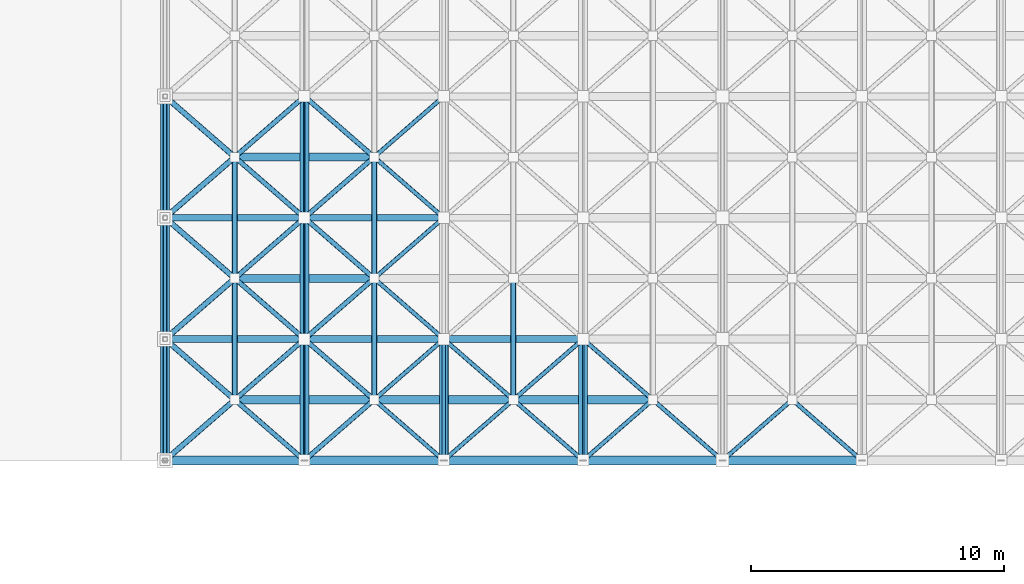
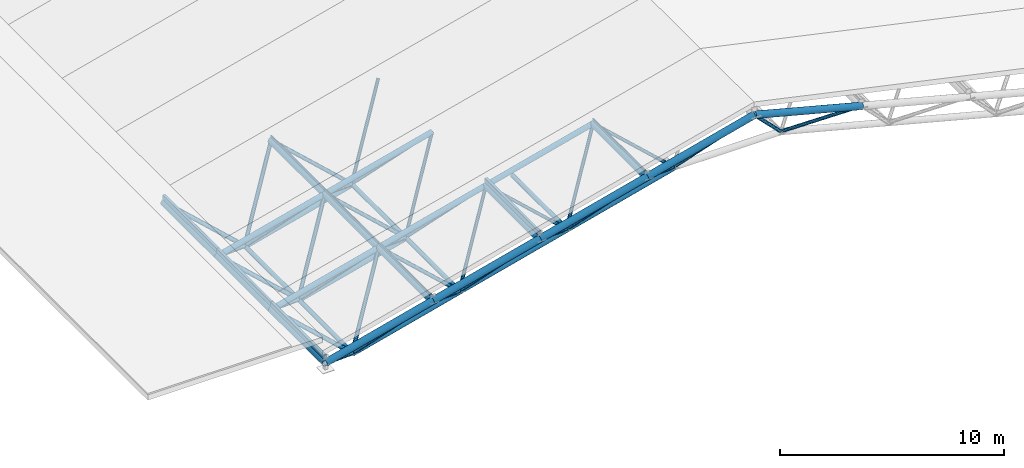
# One storey, part 1 of 60: 69 members.
"""IFC4 building model written with IfcOpenShell, lengths in metres."""

from ifc_helpers import new_model, si_unit, direction, frame, origin, origin_2d, place, context, subcontext, project, spatial, hollow_rectangle, hollow_circle, extrude, material, material_profile, profile_set, type_object, element, save


model = new_model("IFC4")

# Units and contexts
model_context = context("Model", 3, precision=1e-05, world=origin(), true_north=direction((0.0, 1.0)))
body_context = subcontext(model_context, "Body", "Model", "MODEL_VIEW")
ifc_project = project(units=[si_unit("LENGTHUNIT", "METRE"), si_unit("AREAUNIT", "SQUARE_METRE"), si_unit("VOLUMEUNIT", "CUBIC_METRE"), si_unit("PLANEANGLEUNIT", "RADIAN"), si_unit("MASSUNIT", "GRAM", prefix="KILO")], contexts=[model_context])

# Site, building, storey
site_placement = place(None, origin())
site = spatial("IfcSite", under=ifc_project, at=site_placement, CompositionType="ELEMENT")
building_placement = place(site_placement, origin())
building = spatial("IfcBuilding", under=site, at=building_placement, Name="Nakhvara Creek Congress Hotel", CompositionType="ELEMENT")
storey_placement = place(building_placement, frame((0.0, 0.0, 54.60009765625)))
storey = spatial("IfcBuildingStorey", under=building, at=storey_placement, Name="RL1", CompositionType="ELEMENT", Elevation=54.60009765625)

# Members
ifc_material = material(Name="Steel S355J2H", Category="steel")
ifc_material_profile_1 = material_profile(ifc_material, hollow_circle(Radius=0.084228515625, WallThickness=0.010009765625, at=origin_2d()), Name="CHS 168.3x10.0", Category="LoadBearing")
ifc_profile_set_1 = profile_set([ifc_material_profile_1], Name="Steel S355J2H")
member_type_1 = type_object("IfcMemberType", Name="MEM-BRC-CHS168H", PredefinedType="BRACE", material=ifc_profile_set_1)
for number, where, z_axis, x_axis, name in (
    (1, (17.418701171875, 36.0, -35.489990234375), (0.558255523915, -0.486063046951, 0.672378973799), (0.656658200939, 0.754188310132, 0.0), "Congress Space Frame Web Diagonal 0205"),
    (2, (17.418701171875, 36.0, -35.489990234375), (0.558255523915, 0.486063046951, 0.672378973799), (-0.656658200939, 0.754188310132, 0.0), "Congress Space Frame Web Diagonal 0207"),
):
    element("IfcMember", number, at=place(storey_placement, frame(where, z_axis=z_axis, x_axis=x_axis)), inside=storey, type_object=member_type_1, Name=name, PredefinedType="BRACE", context=body_context, shape_type="SweptSolid", body=[
        extrude(hollow_circle(Radius=0.084228515625, WallThickness=0.010009765625, at=origin_2d()), origin(), (0.0, 0.0, 1.0), 4.9375),
    ])
member_1_placement = place(storey_placement, frame((22.93115234375, 36.0, -34.050048828125), z_axis=(-0.670634480014, -0.583961107143, 0.457426299593), x_axis=(0.656691284984, -0.754159503173, 0.0)))
element("IfcMember", 3, at=member_1_placement, inside=storey, type_object=member_type_1, Name="Congress Space Frame Web Diagonal 0210", PredefinedType="BRACE", context=body_context, shape_type="SweptSolid", body=[
    extrude(hollow_circle(Radius=0.084228515625, WallThickness=0.010009765625, at=origin_2d()), origin(), (0.0, 0.0, 1.0), 4.109619140625),
])
member_2_placement = place(storey_placement, frame((22.93115234375, 36.0, -34.050048828125), z_axis=(0.558236963804, -0.486046886997, 0.672406064728), x_axis=(0.656658200939, 0.754188310132, 0.0)))
element("IfcMember", 4, at=member_2_placement, inside=storey, type_object=member_type_1, Name="Congress Space Frame Web Diagonal 0211", PredefinedType="BRACE", context=body_context, shape_type="SweptSolid", body=[
    extrude(hollow_circle(Radius=0.084228515625, WallThickness=0.010009765625, at=origin_2d()), origin(), (0.0, 0.0, 1.0), 4.9375),
])
member_3_placement = place(storey_placement, frame((22.93115234375, 36.0, -34.050048828125), z_axis=(-0.670634480014, 0.583961107143, 0.457426299593), x_axis=(-0.656691284984, -0.754159503173, 0.0)))
element("IfcMember", 5, at=member_3_placement, inside=storey, type_object=member_type_1, Name="Congress Space Frame Web Diagonal 0212", PredefinedType="BRACE", context=body_context, shape_type="SweptSolid", body=[
    extrude(hollow_circle(Radius=0.084228515625, WallThickness=0.010009765625, at=origin_2d()), origin(), (0.0, 0.0, 1.0), 4.109619140625),
])
member_4_placement = place(storey_placement, frame((22.93115234375, 36.0, -34.050048828125), z_axis=(0.558236963804, 0.486046886997, 0.672406064728), x_axis=(-0.656658200939, 0.754188310132, 0.0)))
element("IfcMember", 6, at=member_4_placement, inside=storey, type_object=member_type_1, Name="Congress Space Frame Web Diagonal 0213", PredefinedType="BRACE", context=body_context, shape_type="SweptSolid", body=[
    extrude(hollow_circle(Radius=0.084228515625, WallThickness=0.010009765625, at=origin_2d()), origin(), (0.0, 0.0, 1.0), 4.9375),
])
member_5_placement = place(storey_placement, frame((28.44384765625, 36.0, -32.610107421875), z_axis=(-0.670648942571, -0.583921975684, 0.457455049313), x_axis=(0.656658200939, -0.754188310132, 0.0)))
element("IfcMember", 7, at=member_5_placement, inside=storey, type_object=member_type_1, Name="Congress Space Frame Web Diagonal 0216", PredefinedType="BRACE", context=body_context, shape_type="SweptSolid", body=[
    extrude(hollow_circle(Radius=0.084228515625, WallThickness=0.010009765625, at=origin_2d()), origin(), (0.0, 0.0, 1.0), 4.10986328125),
])
member_6_placement = place(storey_placement, frame((28.44384765625, 36.0, -32.610107421875), z_axis=(0.558202925689, -0.486060302908, 0.672424624541), x_axis=(0.656691284984, 0.754159503173, 0.0)))
element("IfcMember", 8, at=member_6_placement, inside=storey, type_object=member_type_1, Name="Congress Space Frame Web Diagonal 0217", PredefinedType="BRACE", context=body_context, shape_type="SweptSolid", body=[
    extrude(hollow_circle(Radius=0.084228515625, WallThickness=0.010009765625, at=origin_2d()), origin(), (0.0, 0.0, 1.0), 4.9375),
])
member_7_placement = place(storey_placement, frame((28.44384765625, 36.0, -32.610107421875), z_axis=(-0.670648942571, 0.583921975684, 0.457455049313), x_axis=(-0.656658200939, -0.754188310132, 0.0)))
element("IfcMember", 9, at=member_7_placement, inside=storey, type_object=member_type_1, Name="Congress Space Frame Web Diagonal 0218", PredefinedType="BRACE", context=body_context, shape_type="SweptSolid", body=[
    extrude(hollow_circle(Radius=0.084228515625, WallThickness=0.010009765625, at=origin_2d()), origin(), (0.0, 0.0, 1.0), 4.10986328125),
])
member_8_placement = place(storey_placement, frame((33.956298828125, 36.0, -32.610107421875), z_axis=(-0.558236963804, -0.486046886997, 0.672406064728), x_axis=(0.656658200939, -0.754188310132, 0.0)))
element("IfcMember", 10, at=member_8_placement, inside=storey, type_object=member_type_1, Name="Congress Space Frame Web Diagonal 0222", PredefinedType="BRACE", context=body_context, shape_type="SweptSolid", body=[
    extrude(hollow_circle(Radius=0.084228515625, WallThickness=0.010009765625, at=origin_2d()), origin(), (0.0, 0.0, 1.0), 4.9375),
])
member_9_placement = place(storey_placement, frame((33.956298828125, 36.0, -32.610107421875), z_axis=(0.670616255838, -0.583945238275, 0.457473273648), x_axis=(0.656691284984, 0.754159503173, 0.0)))
element("IfcMember", 11, at=member_9_placement, inside=storey, type_object=member_type_1, Name="Congress Space Frame Web Diagonal 0223", PredefinedType="BRACE", context=body_context, shape_type="SweptSolid", body=[
    extrude(hollow_circle(Radius=0.084228515625, WallThickness=0.010009765625, at=origin_2d()), origin(), (0.0, 0.0, 1.0), 4.10986328125),
])
for number, where, z_axis, x_axis, name in (
    (12, (17.418701171875, 40.800048828125, -35.489990234375), (0.558242106429, -0.486100810301, 0.672362813394), (0.656696195101, 0.754155227616, 0.0), "Congress Space Frame Web Diagonal 0252"),
    (13, (17.418701171875, 40.800048828125, -35.489990234375), (0.558255523915, 0.486063046951, 0.672378973799), (-0.656658200939, 0.754188310132, 0.0), "Congress Space Frame Web Diagonal 0254"),
    (14, (17.418701171875, 45.60009765625, -35.489990234375), (0.558242106429, -0.486100810301, 0.672362813394), (0.656696195101, 0.754155227616, 0.0), "Congress Space Frame Web Diagonal 0299"),
    (15, (17.418701171875, 45.60009765625, -35.489990234375), (0.558255523915, 0.486063046951, 0.672378973799), (-0.656658200939, 0.754188310132, 0.0), "Congress Space Frame Web Diagonal 0301"),
):
    element("IfcMember", number, at=place(storey_placement, frame(where, z_axis=z_axis, x_axis=x_axis)), inside=storey, type_object=member_type_1, Name=name, PredefinedType="BRACE", context=body_context, shape_type="SweptSolid", body=[
        extrude(hollow_circle(Radius=0.084228515625, WallThickness=0.010009765625, at=origin_2d()), origin(), (0.0, 0.0, 1.0), 4.9375),
    ])
ifc_material_profile_2 = material_profile(ifc_material, hollow_circle(Radius=0.096923828125, WallThickness=0.010009765625, at=origin_2d()), Name="CHS 193.7x10.0", Category="LoadBearing")
ifc_profile_set_2 = profile_set([ifc_material_profile_2], Name="Steel S355J2H")
member_type_2 = type_object("IfcMemberType", Name="MEM-BRC-CHS193", PredefinedType="BRACE", material=ifc_profile_set_2)
for number, where, z_axis, x_axis, name in (
    (16, (11.90625, 36.0, -36.93017578125), (0.558236963804, -0.486046886997, 0.672406064728), (0.656658200939, 0.754188310132, 0.0), "Congress Space Frame Web Diagonal 0199"),
    (17, (11.90625, 36.0, -36.93017578125), (0.558236963804, 0.486046886997, 0.672406064728), (-0.656658200939, 0.754188310132, 0.0), "Congress Space Frame Web Diagonal 0201"),
):
    element("IfcMember", number, at=place(storey_placement, frame(where, z_axis=z_axis, x_axis=x_axis)), inside=storey, type_object=member_type_2, Name=name, PredefinedType="BRACE", context=body_context, shape_type="SweptSolid", body=[
        extrude(hollow_circle(Radius=0.096923828125, WallThickness=0.010009765625, at=origin_2d()), origin(), (0.0, 0.0, 1.0), 4.9375),
    ])
for number, where, z_axis, x_axis, name in (
    (18, (17.418701171875, 36.0, -35.489990234375), (-0.670634480014, -0.583961107143, 0.457426299593), (0.656691284984, -0.754159503173, 0.0), "Congress Space Frame Web Diagonal 0204"),
    (19, (17.418701171875, 36.0, -35.489990234375), (-0.670634480014, 0.583961107143, 0.457426299593), (-0.656691284984, -0.754159503173, 0.0), "Congress Space Frame Web Diagonal 0206"),
):
    element("IfcMember", number, at=place(storey_placement, frame(where, z_axis=z_axis, x_axis=x_axis)), inside=storey, type_object=member_type_2, Name=name, PredefinedType="BRACE", context=body_context, shape_type="SweptSolid", body=[
        extrude(hollow_circle(Radius=0.096923828125, WallThickness=0.010009765625, at=origin_2d()), origin(), (0.0, 0.0, 1.0), 4.109619140625),
    ])
member_10_placement = place(storey_placement, frame((11.90625, 40.800048828125, -36.93017578125), z_axis=(0.558223547657, -0.486084649868, 0.672389904746), x_axis=(0.656696195101, 0.754155227616, 0.0)))
element("IfcMember", 20, at=member_10_placement, inside=storey, type_object=member_type_2, Name="Congress Space Frame Web Diagonal 0246", PredefinedType="BRACE", context=body_context, shape_type="SweptSolid", body=[
    extrude(hollow_circle(Radius=0.096923828125, WallThickness=0.010009765625, at=origin_2d()), origin(), (0.0, 0.0, 1.0), 4.937744140625),
])
member_11_placement = place(storey_placement, frame((11.90625, 40.800048828125, -36.93017578125), z_axis=(0.558236963804, 0.486046886997, 0.672406064728), x_axis=(-0.656658200939, 0.754188310132, 0.0)))
element("IfcMember", 21, at=member_11_placement, inside=storey, type_object=member_type_2, Name="Congress Space Frame Web Diagonal 0248", PredefinedType="BRACE", context=body_context, shape_type="SweptSolid", body=[
    extrude(hollow_circle(Radius=0.096923828125, WallThickness=0.010009765625, at=origin_2d()), origin(), (0.0, 0.0, 1.0), 4.9375),
])
member_12_placement = place(storey_placement, frame((17.418701171875, 40.800048828125, -35.489990234375), z_axis=(-0.670611215194, -0.584000253041, 0.457410431127), x_axis=(0.656729278158, -0.754126418587, 0.0)))
element("IfcMember", 22, at=member_12_placement, inside=storey, type_object=member_type_2, Name="Congress Space Frame Web Diagonal 0251", PredefinedType="BRACE", context=body_context, shape_type="SweptSolid", body=[
    extrude(hollow_circle(Radius=0.096923828125, WallThickness=0.010009765625, at=origin_2d()), origin(), (0.0, 0.0, 1.0), 4.10986328125),
])
member_13_placement = place(storey_placement, frame((17.418701171875, 40.800048828125, -35.489990234375), z_axis=(-0.670634480014, 0.583961107143, 0.457426299593), x_axis=(-0.656691284984, -0.754159503173, 0.0)))
element("IfcMember", 23, at=member_13_placement, inside=storey, type_object=member_type_2, Name="Congress Space Frame Web Diagonal 0253", PredefinedType="BRACE", context=body_context, shape_type="SweptSolid", body=[
    extrude(hollow_circle(Radius=0.096923828125, WallThickness=0.010009765625, at=origin_2d()), origin(), (0.0, 0.0, 1.0), 4.109619140625),
])
member_14_placement = place(storey_placement, frame((11.90625, 45.60009765625, -36.93017578125), z_axis=(0.558223547657, -0.486084649868, 0.672389904746), x_axis=(0.656696195101, 0.754155227616, 0.0)))
element("IfcMember", 24, at=member_14_placement, inside=storey, type_object=member_type_2, Name="Congress Space Frame Web Diagonal 0293", PredefinedType="BRACE", context=body_context, shape_type="SweptSolid", body=[
    extrude(hollow_circle(Radius=0.096923828125, WallThickness=0.010009765625, at=origin_2d()), origin(), (0.0, 0.0, 1.0), 4.937744140625),
])
member_15_placement = place(storey_placement, frame((11.90625, 45.60009765625, -36.93017578125), z_axis=(0.558236963804, 0.486046886997, 0.672406064728), x_axis=(-0.656658200939, 0.754188310132, 0.0)))
element("IfcMember", 25, at=member_15_placement, inside=storey, type_object=member_type_2, Name="Congress Space Frame Web Diagonal 0295", PredefinedType="BRACE", context=body_context, shape_type="SweptSolid", body=[
    extrude(hollow_circle(Radius=0.096923828125, WallThickness=0.010009765625, at=origin_2d()), origin(), (0.0, 0.0, 1.0), 4.9375),
])
member_16_placement = place(storey_placement, frame((17.418701171875, 45.60009765625, -35.489990234375), z_axis=(-0.670611215194, -0.584000253041, 0.457410431127), x_axis=(0.656729278158, -0.754126418587, 0.0)))
element("IfcMember", 26, at=member_16_placement, inside=storey, type_object=member_type_2, Name="Congress Space Frame Web Diagonal 0298", PredefinedType="BRACE", context=body_context, shape_type="SweptSolid", body=[
    extrude(hollow_circle(Radius=0.096923828125, WallThickness=0.010009765625, at=origin_2d()), origin(), (0.0, 0.0, 1.0), 4.10986328125),
])
member_17_placement = place(storey_placement, frame((17.418701171875, 45.60009765625, -35.489990234375), z_axis=(-0.670634480014, 0.583961107143, 0.457426299593), x_axis=(-0.656691284984, -0.754159503173, 0.0)))
element("IfcMember", 27, at=member_17_placement, inside=storey, type_object=member_type_2, Name="Congress Space Frame Web Diagonal 0300", PredefinedType="BRACE", context=body_context, shape_type="SweptSolid", body=[
    extrude(hollow_circle(Radius=0.096923828125, WallThickness=0.010009765625, at=origin_2d()), origin(), (0.0, 0.0, 1.0), 4.109619140625),
])
ifc_material_profile_3 = material_profile(ifc_material, hollow_circle(Radius=0.109619140625, WallThickness=0.010009765625, at=origin_2d()), Name="CHS 219.1x10.0", Category="LoadBearing")
ifc_profile_set_3 = profile_set([ifc_material_profile_3], Name="Steel S355J2H")
member_type_3 = type_object("IfcMemberType", Name="MEM-BRC-CHS219", PredefinedType="BRACE", material=ifc_profile_set_3)
for number, where, z_axis, x_axis, name in (
    (28, (11.90625, 36.0, -36.93017578125), (-0.670648942571, -0.583921975684, 0.457455049313), (0.656658200939, -0.754188310132, 0.0), "Congress Space Frame Web Diagonal 0198"),
    (29, (11.90625, 36.0, -36.93017578125), (-0.670648942571, 0.583921975684, 0.457455049313), (-0.656658200939, -0.754188310132, 0.0), "Congress Space Frame Web Diagonal 0200"),
):
    element("IfcMember", number, at=place(storey_placement, frame(where, z_axis=z_axis, x_axis=x_axis)), inside=storey, type_object=member_type_3, Name=name, PredefinedType="BRACE", context=body_context, shape_type="SweptSolid", body=[
        extrude(hollow_circle(Radius=0.109619140625, WallThickness=0.010009765625, at=origin_2d()), origin(), (0.0, 0.0, 1.0), 4.10986328125),
    ])
member_18_placement = place(storey_placement, frame((11.90625, 40.800048828125, -36.93017578125), z_axis=(-0.670625680367, -0.583961121673, 0.457439181976), x_axis=(0.656696195101, -0.754155227616, 0.0)))
element("IfcMember", 30, at=member_18_placement, inside=storey, type_object=member_type_3, Name="Congress Space Frame Web Diagonal 0245", PredefinedType="BRACE", context=body_context, shape_type="SweptSolid", body=[
    extrude(hollow_circle(Radius=0.109619140625, WallThickness=0.010009765625, at=origin_2d()), origin(), (0.0, 0.0, 1.0), 4.110107421875),
])
member_19_placement = place(storey_placement, frame((11.90625, 40.800048828125, -36.93017578125), z_axis=(-0.670648942571, 0.583921975684, 0.457455049313), x_axis=(-0.656658200939, -0.754188310132, 0.0)))
element("IfcMember", 31, at=member_19_placement, inside=storey, type_object=member_type_3, Name="Congress Space Frame Web Diagonal 0247", PredefinedType="BRACE", context=body_context, shape_type="SweptSolid", body=[
    extrude(hollow_circle(Radius=0.109619140625, WallThickness=0.010009765625, at=origin_2d()), origin(), (0.0, 0.0, 1.0), 4.10986328125),
])
member_20_placement = place(storey_placement, frame((11.90625, 45.60009765625, -36.93017578125), z_axis=(-0.670625680367, -0.583961121673, 0.457439181976), x_axis=(0.656696195101, -0.754155227616, 0.0)))
element("IfcMember", 32, at=member_20_placement, inside=storey, type_object=member_type_3, Name="Congress Space Frame Web Diagonal 0292", PredefinedType="BRACE", context=body_context, shape_type="SweptSolid", body=[
    extrude(hollow_circle(Radius=0.109619140625, WallThickness=0.010009765625, at=origin_2d()), origin(), (0.0, 0.0, 1.0), 4.110107421875),
])
member_21_placement = place(storey_placement, frame((11.90625, 45.60009765625, -36.93017578125), z_axis=(-0.670648942571, 0.583921975684, 0.457455049313), x_axis=(-0.656658200939, -0.754188310132, 0.0)))
element("IfcMember", 33, at=member_21_placement, inside=storey, type_object=member_type_3, Name="Congress Space Frame Web Diagonal 0294", PredefinedType="BRACE", context=body_context, shape_type="SweptSolid", body=[
    extrude(hollow_circle(Radius=0.109619140625, WallThickness=0.010009765625, at=origin_2d()), origin(), (0.0, 0.0, 1.0), 4.10986328125),
])
ifc_material_profile_4 = material_profile(ifc_material, hollow_circle(Radius=0.109619140625, WallThickness=0.012451171875, at=origin_2d()), Name="CHS 219.1x12.5", Category="LoadBearing")
ifc_profile_set_4 = profile_set([ifc_material_profile_4], Name="Steel S355J2H")
member_type_4 = type_object("IfcMemberType", Name="MEM-CHD-CHS219H", PredefinedType="CHORD", material=ifc_profile_set_4)
for number, where, z_axis, x_axis, name in (
    (34, (11.90625, 36.0, -36.93017578125), (0.0, 1.0, 0.0), (-1.0, 0.0, 0.0), "Congress Roof Truss Bottom Tie 0197"),
    (35, (17.418701171875, 36.0, -35.489990234375), (0.0, 1.0, 0.0), (-1.0, 0.0, 0.0), "Congress Roof Truss Bottom Tie 0203"),
    (36, (22.93115234375, 36.0, -34.050048828125), (0.0, 1.0, 0.0), (-1.0, 0.0, 0.0), "Congress Roof Truss Bottom Tie 0209"),
    (37, (11.90625, 40.800048828125, -36.93017578125), (0.0, 1.0, 0.0), (-1.0, 0.0, 0.0), "Congress Roof Truss Bottom Tie 0244"),
    (38, (17.418701171875, 40.800048828125, -35.489990234375), (0.0, 1.0, 0.0), (-1.0, 0.0, 0.0), "Congress Roof Truss Bottom Tie 0250"),
):
    element("IfcMember", number, at=place(storey_placement, frame(where, z_axis=z_axis, x_axis=x_axis)), inside=storey, type_object=member_type_4, Name=name, PredefinedType="CHORD", context=body_context, shape_type="SweptSolid", body=[
        extrude(hollow_circle(Radius=0.109619140625, WallThickness=0.012451171875, at=origin_2d()), origin(), (0.0, 0.0, 1.0), 4.800048828125),
    ])
ifc_material_profile_5 = material_profile(ifc_material, hollow_circle(Radius=0.136474609375, WallThickness=0.01611328125, at=origin_2d()), Name="CHS 273.0x16.0", Category="LoadBearing")
ifc_profile_set_5 = profile_set([ifc_material_profile_5], Name="Steel S355J2H")
member_type_5 = type_object("IfcMemberType", Name="MEM-CHD-CHS273H", PredefinedType="CHORD", material=ifc_profile_set_5)
member_22_placement = place(storey_placement, frame((9.14990234375, 38.39990234375, -35.050048828125), z_axis=(0.967538048321, 0.0, 0.252725394553), x_axis=(0.0, 1.0, 0.0)))
element("IfcMember", 39, at=member_22_placement, inside=storey, type_object=member_type_5, Name="Congress Space Frame Top Chord 0018", PredefinedType="CHORD", context=body_context, shape_type="SweptSolid", body=[
    extrude(hollow_circle(Radius=0.136474609375, WallThickness=0.01611328125, at=origin_2d()), origin(), (0.0, 0.0, 1.0), 5.69775390625),
])
for number, where, z_axis, x_axis, name in (
    (40, (14.66259765625, 38.39990234375, -33.610107421875), (0.967535311358, 0.0, 0.252735872554), (0.0, 1.0, 0.0), "Congress Space Frame Top Chord 0020"),
    (41, (20.175048828125, 38.39990234375, -32.170166015625), (0.967524832219, 0.0, 0.252775985883), (0.0, 1.0, 0.0), "Congress Space Frame Top Chord 0022"),
):
    element("IfcMember", number, at=place(storey_placement, frame(where, z_axis=z_axis, x_axis=x_axis)), inside=storey, type_object=member_type_5, Name=name, PredefinedType="CHORD", context=body_context, shape_type="SweptSolid", body=[
        extrude(hollow_circle(Radius=0.136474609375, WallThickness=0.01611328125, at=origin_2d()), origin(), (0.0, 0.0, 1.0), 5.697509765625),
    ])
member_23_placement = place(storey_placement, frame((9.14990234375, 43.199951171875, -35.050048828125), z_axis=(0.967538048321, 0.0, 0.252725394553), x_axis=(0.0, 1.0, 0.0)))
element("IfcMember", 42, at=member_23_placement, inside=storey, type_object=member_type_5, Name="Congress Space Frame Top Chord 0035", PredefinedType="CHORD", context=body_context, shape_type="SweptSolid", body=[
    extrude(hollow_circle(Radius=0.136474609375, WallThickness=0.01611328125, at=origin_2d()), origin(), (0.0, 0.0, 1.0), 5.69775390625),
])
member_24_placement = place(storey_placement, frame((14.66259765625, 43.199951171875, -33.610107421875), z_axis=(0.967535311358, 0.0, 0.252735872554), x_axis=(0.0, 1.0, 0.0)))
element("IfcMember", 43, at=member_24_placement, inside=storey, type_object=member_type_5, Name="Congress Space Frame Top Chord 0037", PredefinedType="CHORD", context=body_context, shape_type="SweptSolid", body=[
    extrude(hollow_circle(Radius=0.136474609375, WallThickness=0.01611328125, at=origin_2d()), origin(), (0.0, 0.0, 1.0), 5.697509765625),
])
ifc_material_profile_6 = material_profile(ifc_material, hollow_circle(Radius=0.161865234375, WallThickness=0.012451171875, at=origin_2d()), Name="CHS 323.9x12.5", Category="LoadBearing")
ifc_profile_set_6 = profile_set([ifc_material_profile_6], Name="Steel S355J2H")
member_type_6 = type_object("IfcMemberType", Name="MEM-CHD-CHS324", PredefinedType="CHORD", material=ifc_profile_set_6)
for number, where, z_axis, x_axis, name in (
    (44, (11.90625, 36.0, -36.93017578125), (0.967524832219, 0.0, 0.252775985883), (0.0, 1.0, 0.0), "Congress Space Frame Bottom Chord 0196"),
    (45, (17.418701171875, 36.0, -35.489990234375), (0.967535311358, 0.0, 0.252735872554), (0.0, 1.0, 0.0), "Congress Space Frame Bottom Chord 0202"),
):
    element("IfcMember", number, at=place(storey_placement, frame(where, z_axis=z_axis, x_axis=x_axis)), inside=storey, type_object=member_type_6, Name=name, PredefinedType="CHORD", context=body_context, shape_type="SweptSolid", body=[
        extrude(hollow_circle(Radius=0.161865234375, WallThickness=0.012451171875, at=origin_2d()), origin(), (0.0, 0.0, 1.0), 5.697509765625),
    ])
member_25_placement = place(storey_placement, frame((22.93115234375, 36.0, -34.050048828125), z_axis=(0.967538048321, 0.0, 0.252725394553), x_axis=(0.0, 1.0, 0.0)))
element("IfcMember", 46, at=member_25_placement, inside=storey, type_object=member_type_6, Name="Congress Space Frame Bottom Chord 0208", PredefinedType="CHORD", context=body_context, shape_type="SweptSolid", body=[
    extrude(hollow_circle(Radius=0.161865234375, WallThickness=0.012451171875, at=origin_2d()), origin(), (0.0, 0.0, 1.0), 5.69775390625),
])
for number, where, z_axis, x_axis, name in (
    (47, (11.90625, 40.800048828125, -36.93017578125), (0.967524832219, 0.0, 0.252775985883), (0.0, 1.0, 0.0), "Congress Space Frame Bottom Chord 0243"),
    (48, (11.90625, 45.60009765625, -36.93017578125), (0.967524832219, 0.0, 0.252775985883), (0.0, 1.0, 0.0), "Congress Space Frame Bottom Chord 0290"),
):
    element("IfcMember", number, at=place(storey_placement, frame(where, z_axis=z_axis, x_axis=x_axis)), inside=storey, type_object=member_type_6, Name=name, PredefinedType="CHORD", context=body_context, shape_type="SweptSolid", body=[
        extrude(hollow_circle(Radius=0.161865234375, WallThickness=0.012451171875, at=origin_2d()), origin(), (0.0, 0.0, 1.0), 5.697509765625),
    ])
ifc_material_profile_7 = material_profile(ifc_material, hollow_circle(Radius=0.177734375, WallThickness=0.01611328125, at=origin_2d()), Name="CHS 355.6x16.0", Category="LoadBearing")
ifc_profile_set_7 = profile_set([ifc_material_profile_7], Name="Steel S355J2H")
member_type_7 = type_object("IfcMemberType", Name="MEM-CHD-CHS355", PredefinedType="CHORD", material=ifc_profile_set_7)
member_26_placement = place(storey_placement, frame((9.14990234375, 33.60009765625, -35.050048828125), z_axis=(0.967538048321, 0.0, 0.252725394553), x_axis=(0.0, 1.0, 0.0)))
element("IfcMember", 49, at=member_26_placement, inside=storey, type_object=member_type_7, Name="Congress Space Frame Top Chord 0001", PredefinedType="CHORD", context=body_context, shape_type="SweptSolid", body=[
    extrude(hollow_circle(Radius=0.177734375, WallThickness=0.01611328125, at=origin_2d()), origin(), (0.0, 0.0, 1.0), 5.69775390625),
])
member_27_placement = place(storey_placement, frame((9.14990234375, 33.60009765625, -35.050048828125), z_axis=(0.0, 1.0, 0.0), x_axis=(-1.0, 0.0, 0.0)))
element("IfcMember", 50, at=member_27_placement, inside=storey, type_object=member_type_7, Name="Congress Roof Truss Longitudinal Chord 0002", PredefinedType="CHORD", context=body_context, shape_type="SweptSolid", body=[
    extrude(hollow_circle(Radius=0.177734375, WallThickness=0.01611328125, at=origin_2d()), origin(), (0.0, 0.0, 1.0), 4.7998046875),
])
member_28_placement = place(storey_placement, frame((14.66259765625, 33.60009765625, -33.610107421875), z_axis=(0.967535311358, 0.0, 0.252735872554), x_axis=(0.0, 1.0, 0.0)))
element("IfcMember", 51, at=member_28_placement, inside=storey, type_object=member_type_7, Name="Congress Space Frame Top Chord 0003", PredefinedType="CHORD", context=body_context, shape_type="SweptSolid", body=[
    extrude(hollow_circle(Radius=0.177734375, WallThickness=0.01611328125, at=origin_2d()), origin(), (0.0, 0.0, 1.0), 5.697509765625),
])
member_29_placement = place(storey_placement, frame((14.66259765625, 33.60009765625, -33.610107421875), z_axis=(0.0, 1.0, 0.0), x_axis=(-1.0, 0.0, 0.0)))
element("IfcMember", 52, at=member_29_placement, inside=storey, type_object=member_type_7, Name="Congress Roof Truss Longitudinal Chord 0004", PredefinedType="CHORD", context=body_context, shape_type="SweptSolid", body=[
    extrude(hollow_circle(Radius=0.177734375, WallThickness=0.01611328125, at=origin_2d()), origin(), (0.0, 0.0, 1.0), 4.7998046875),
])
member_30_placement = place(storey_placement, frame((20.175048828125, 33.60009765625, -32.170166015625), z_axis=(0.967524832219, 0.0, 0.252775985883), x_axis=(0.0, 1.0, 0.0)))
element("IfcMember", 53, at=member_30_placement, inside=storey, type_object=member_type_7, Name="Congress Space Frame Top Chord 0005", PredefinedType="CHORD", context=body_context, shape_type="SweptSolid", body=[
    extrude(hollow_circle(Radius=0.177734375, WallThickness=0.01611328125, at=origin_2d()), origin(), (0.0, 0.0, 1.0), 5.697509765625),
])
member_31_placement = place(storey_placement, frame((20.175048828125, 33.60009765625, -32.170166015625), z_axis=(0.0, 1.0, 0.0), x_axis=(-1.0, 0.0, 0.0)))
element("IfcMember", 54, at=member_31_placement, inside=storey, type_object=member_type_7, Name="Congress Roof Truss Longitudinal Chord 0006", PredefinedType="CHORD", context=body_context, shape_type="SweptSolid", body=[
    extrude(hollow_circle(Radius=0.177734375, WallThickness=0.01611328125, at=origin_2d()), origin(), (0.0, 0.0, 1.0), 4.7998046875),
])
member_32_placement = place(storey_placement, frame((25.6875, 33.60009765625, -30.72998046875), z_axis=(0.967535311358, 0.0, 0.252735872554), x_axis=(0.0, 1.0, 0.0)))
element("IfcMember", 55, at=member_32_placement, inside=storey, type_object=member_type_7, Name="Congress Space Frame Top Chord 0007", PredefinedType="CHORD", context=body_context, shape_type="SweptSolid", body=[
    extrude(hollow_circle(Radius=0.177734375, WallThickness=0.01611328125, at=origin_2d()), origin(), (0.0, 0.0, 1.0), 5.697509765625),
])
member_33_placement = place(storey_placement, frame((25.6875, 33.60009765625, -30.72998046875), z_axis=(0.0, 1.0, 0.0), x_axis=(-1.0, 0.0, 0.0)))
element("IfcMember", 56, at=member_33_placement, inside=storey, type_object=member_type_7, Name="Congress Roof Truss Longitudinal Chord 0008", PredefinedType="CHORD", context=body_context, shape_type="SweptSolid", body=[
    extrude(hollow_circle(Radius=0.177734375, WallThickness=0.01611328125, at=origin_2d()), origin(), (0.0, 0.0, 1.0), 4.7998046875),
])
member_34_placement = place(storey_placement, frame((31.199951171875, 33.60009765625, -29.2900390625), z_axis=(0.967535311358, 0.0, -0.252735872554), x_axis=(0.0, 1.0, 0.0)))
element("IfcMember", 57, at=member_34_placement, inside=storey, type_object=member_type_7, Name="Congress Space Frame Top Chord 0009", PredefinedType="CHORD", context=body_context, shape_type="SweptSolid", body=[
    extrude(hollow_circle(Radius=0.177734375, WallThickness=0.01611328125, at=origin_2d()), origin(), (0.0, 0.0, 1.0), 5.697509765625),
])
for number, where, z_axis, x_axis, name in (
    (58, (9.14990234375, 38.39990234375, -35.050048828125), (0.0, 1.0, 0.0), (-1.0, 0.0, 0.0), "Congress Roof Truss Longitudinal Chord 0019"),
    (59, (14.66259765625, 38.39990234375, -33.610107421875), (0.0, 1.0, 0.0), (-1.0, 0.0, 0.0), "Congress Roof Truss Longitudinal Chord 0021"),
    (60, (9.14990234375, 43.199951171875, -35.050048828125), (0.0, 1.0, 0.0), (-1.0, 0.0, 0.0), "Congress Roof Truss Longitudinal Chord 0036"),
    (61, (14.66259765625, 43.199951171875, -33.610107421875), (0.0, 1.0, 0.0), (-1.0, 0.0, 0.0), "Congress Roof Truss Longitudinal Chord 0038"),
):
    element("IfcMember", number, at=place(storey_placement, frame(where, z_axis=z_axis, x_axis=x_axis)), inside=storey, type_object=member_type_7, Name=name, PredefinedType="CHORD", context=body_context, shape_type="SweptSolid", body=[
        extrude(hollow_circle(Radius=0.177734375, WallThickness=0.01611328125, at=origin_2d()), origin(), (0.0, 0.0, 1.0), 4.800048828125),
    ])
ifc_material_profile_8 = material_profile(ifc_material, hollow_rectangle(XDim=0.06005859375, YDim=0.1201171875, WallThickness=0.0048828125, InnerFilletRadius=0.0048828125, OuterFilletRadius=0.010009765625, at=origin_2d()), Name="RHS 120x60x5.0", Category="LoadBearing")
ifc_profile_set_8 = profile_set([ifc_material_profile_8], Name="Steel S355J2H")
member_type_8 = type_object("IfcMemberType", Name="MEM-PUR-RHS120", PredefinedType="PURLIN", material=ifc_profile_set_8)
member_35_placement = place(storey_placement, frame((14.66259765625, 33.60009765625, -33.378173828125), z_axis=(0.0, 1.0, 0.0), x_axis=(-1.0, 0.0, 0.0)))
element("IfcMember", 62, at=member_35_placement, inside=storey, type_object=member_type_8, Name="Congress Roof Purlin 012", PredefinedType="PURLIN", context=body_context, shape_type="SweptSolid", body=[
    extrude(hollow_rectangle(XDim=0.06005859375, YDim=0.1201171875, WallThickness=0.0048828125, InnerFilletRadius=0.0048828125, OuterFilletRadius=0.010009765625, at=origin_2d()), origin(), (0.0, 0.0, 1.0), 4.7998046875),
])
for number, where, z_axis, x_axis, name in (
    (63, (14.66259765625, 38.39990234375, -33.378173828125), (0.0, 1.0, 0.0), (-1.0, 0.0, 0.0), "Congress Roof Purlin 013"),
    (64, (14.66259765625, 43.199951171875, -33.378173828125), (0.0, 1.0, 0.0), (-1.0, 0.0, 0.0), "Congress Roof Purlin 014"),
):
    element("IfcMember", number, at=place(storey_placement, frame(where, z_axis=z_axis, x_axis=x_axis)), inside=storey, type_object=member_type_8, Name=name, PredefinedType="PURLIN", context=body_context, shape_type="SweptSolid", body=[
        extrude(hollow_rectangle(XDim=0.06005859375, YDim=0.1201171875, WallThickness=0.0048828125, InnerFilletRadius=0.0048828125, OuterFilletRadius=0.010009765625, at=origin_2d()), origin(), (0.0, 0.0, 1.0), 4.800048828125),
    ])
member_36_placement = place(storey_placement, frame((25.6875, 33.60009765625, -30.498046875), z_axis=(0.0, 1.0, 0.0), x_axis=(-1.0, 0.0, 0.0)))
element("IfcMember", 65, at=member_36_placement, inside=storey, type_object=member_type_8, Name="Congress Roof Purlin 034", PredefinedType="PURLIN", context=body_context, shape_type="SweptSolid", body=[
    extrude(hollow_rectangle(XDim=0.06005859375, YDim=0.1201171875, WallThickness=0.0048828125, InnerFilletRadius=0.0048828125, OuterFilletRadius=0.010009765625, at=origin_2d()), origin(), (0.0, 0.0, 1.0), 4.7998046875),
])
ifc_material_profile_9 = material_profile(ifc_material, hollow_rectangle(XDim=0.14990234375, YDim=0.25, WallThickness=0.010009765625, InnerFilletRadius=0.010009765625, OuterFilletRadius=0.02001953125, at=origin_2d()), Name="RHS 250x150x10.0", Category="LoadBearing")
ifc_profile_set_9 = profile_set([ifc_material_profile_9], Name="Steel S355J2H")
member_type_9 = type_object("IfcMemberType", Name="MEM-PUR-RHS250", PredefinedType="PURLIN", material=ifc_profile_set_9)
member_37_placement = place(storey_placement, frame((9.14990234375, 33.60009765625, -34.753173828125), z_axis=(0.0, 1.0, 0.0), x_axis=(-1.0, 0.0, 0.0)))
element("IfcMember", 66, at=member_37_placement, inside=storey, type_object=member_type_9, Name="Congress Roof Purlin 001", PredefinedType="PURLIN", context=body_context, shape_type="SweptSolid", body=[
    extrude(hollow_rectangle(XDim=0.14990234375, YDim=0.25, WallThickness=0.010009765625, InnerFilletRadius=0.010009765625, OuterFilletRadius=0.02001953125, at=origin_2d()), origin(), (0.0, 0.0, 1.0), 4.7998046875),
])
for number, where, z_axis, x_axis, name in (
    (67, (9.14990234375, 38.39990234375, -34.753173828125), (0.0, 1.0, 0.0), (-1.0, 0.0, 0.0), "Congress Roof Purlin 002"),
    (68, (9.14990234375, 43.199951171875, -34.753173828125), (0.0, 1.0, 0.0), (-1.0, 0.0, 0.0), "Congress Roof Purlin 003"),
):
    element("IfcMember", number, at=place(storey_placement, frame(where, z_axis=z_axis, x_axis=x_axis)), inside=storey, type_object=member_type_9, Name=name, PredefinedType="PURLIN", context=body_context, shape_type="SweptSolid", body=[
        extrude(hollow_rectangle(XDim=0.14990234375, YDim=0.25, WallThickness=0.010009765625, InnerFilletRadius=0.010009765625, OuterFilletRadius=0.02001953125, at=origin_2d()), origin(), (0.0, 0.0, 1.0), 4.800048828125),
    ])
member_38_placement = place(storey_placement, frame((20.175048828125, 33.60009765625, -31.873046875), z_axis=(0.0, 1.0, 0.0), x_axis=(-1.0, 0.0, 0.0)))
element("IfcMember", 69, at=member_38_placement, inside=storey, type_object=member_type_9, Name="Congress Roof Purlin 023", PredefinedType="PURLIN", context=body_context, shape_type="SweptSolid", body=[
    extrude(hollow_rectangle(XDim=0.14990234375, YDim=0.25, WallThickness=0.010009765625, InnerFilletRadius=0.010009765625, OuterFilletRadius=0.02001953125, at=origin_2d()), origin(), (0.0, 0.0, 1.0), 4.7998046875),
])

save(model, "model.ifc")
